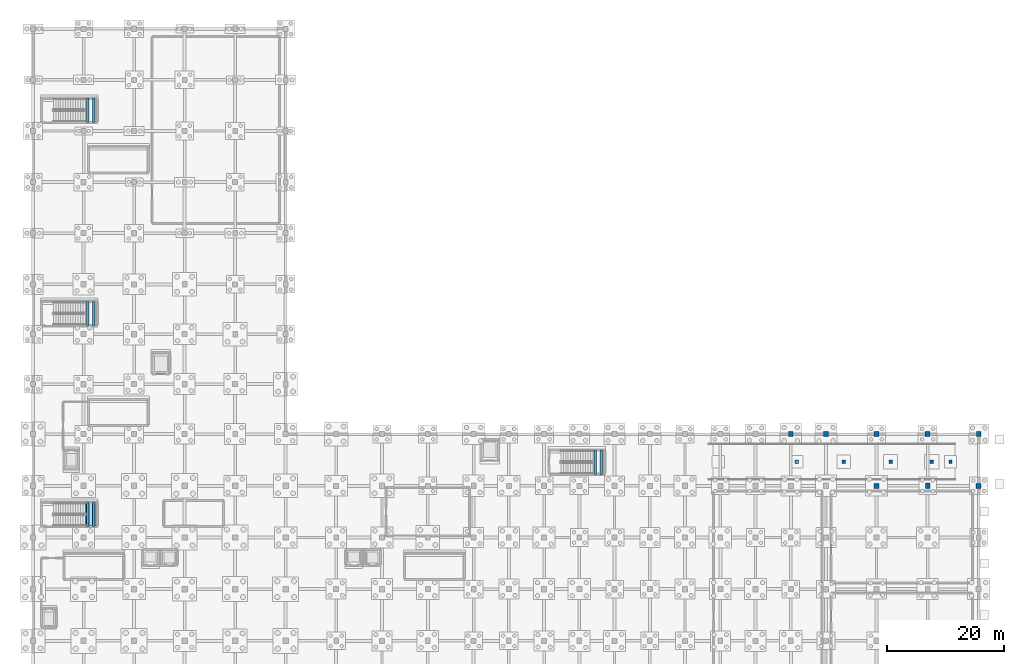
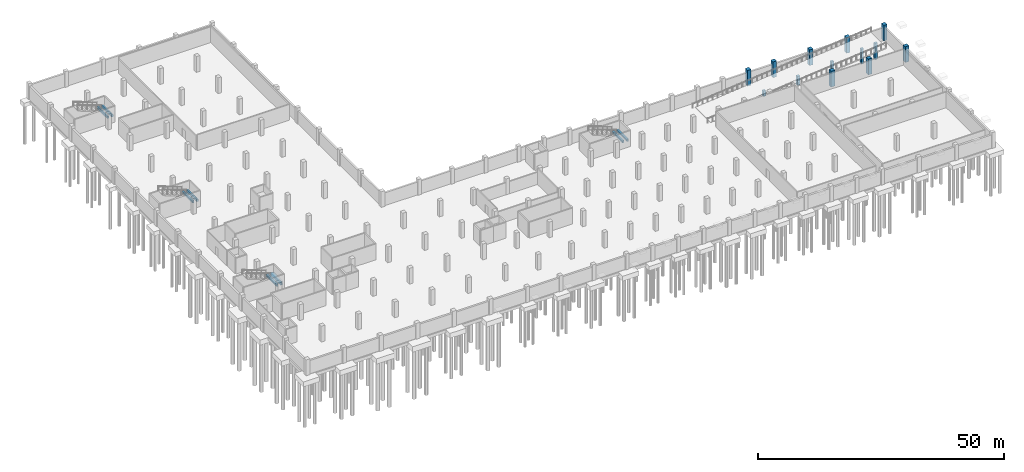
# One storey, part 12 of 28: 13 columns, 8 beams, 1 slab, 1 element without a shape of its own.
"""IFC4 building model written with IfcOpenShell, lengths in metres."""

from ifc_helpers import new_model, si_unit, direction, frame, origin, origin_2d, place, context, subcontext, project, spatial, polyline, rectangle, outline, extrude, material, layer, layer_set, material_profile, profile_set, type_object, element, aggregate, save


model = new_model("IFC4")

# Units and contexts
model_context = context("Model", 3, precision=1e-05, world=origin(), true_north=direction((0.0, 1.0)))
body_context = subcontext(model_context, "Body", "Model", "MODEL_VIEW")
ifc_project = project(units=[si_unit("LENGTHUNIT", "METRE"), si_unit("AREAUNIT", "SQUARE_METRE"), si_unit("VOLUMEUNIT", "CUBIC_METRE"), si_unit("PLANEANGLEUNIT", "RADIAN"), si_unit("MASSUNIT", "GRAM", prefix="KILO")], contexts=[model_context])

# Site, building, storey
site_placement = place(None, origin())
site = spatial("IfcSite", under=ifc_project, at=site_placement, CompositionType="ELEMENT")
building_placement = place(site_placement, origin())
building = spatial("IfcBuilding", under=site, at=building_placement, Name="Varnakota Cinema and Media Centre", CompositionType="ELEMENT")
storey_placement = place(building_placement, frame((0.0, 0.0, -4.199951171875)))
storey = spatial("IfcBuildingStorey", under=building, at=storey_placement, Name="B1", CompositionType="ELEMENT", Elevation=-4.199951171875)

# Columns
ifc_material_1 = material(Name="Concrete M40", Category="concrete")
ifc_material_profile_1 = material_profile(ifc_material_1, rectangle(XDim=0.550048828125, YDim=0.550048828125, at=origin_2d()), Name="RC 550x550")
ifc_profile_set_1 = profile_set([ifc_material_profile_1], Name="Concrete M40")
column_type_1 = type_object("IfcColumnType", Name="COL-RC-550x550", PredefinedType="COLUMN", material=ifc_profile_set_1)
column_1_placement = place(storey_placement, frame((156.199951171875, 39.300048828125, -0.25), z_axis=(0.0, 0.0, 1.0), x_axis=(1.0, 0.0, 0.0)))
element("IfcColumn", 1, at=column_1_placement, inside=storey, type_object=column_type_1, Name="B1 car ramp top support pier", PredefinedType="COLUMN", context=body_context, shape_type="SweptSolid", body=[
    extrude(rectangle(XDim=0.550048828125, YDim=0.550048828125, at=origin_2d()), origin(), (0.0, 0.0, 1.0), 4.030029296875),
])
column_2_placement = place(storey_placement, frame((130.0, 39.300048828125, -0.25), z_axis=(0.0, 0.0, 1.0), x_axis=(1.0, 0.0, 0.0)))
element("IfcColumn", 2, at=column_2_placement, inside=storey, type_object=column_type_1, Name="B1 car ramp support pier X=130", PredefinedType="COLUMN", context=body_context, shape_type="SweptSolid", body=[
    extrude(rectangle(XDim=0.550048828125, YDim=0.550048828125, at=origin_2d()), origin(), (0.0, 0.0, 1.0), 1.404296875),
])
column_3_placement = place(storey_placement, frame((138.0, 39.300048828125, -0.25), z_axis=(0.0, 0.0, 1.0), x_axis=(1.0, 0.0, 0.0)))
element("IfcColumn", 3, at=column_3_placement, inside=storey, type_object=column_type_1, Name="B1 car ramp support pier X=138", PredefinedType="COLUMN", context=body_context, shape_type="SweptSolid", body=[
    extrude(rectangle(XDim=0.550048828125, YDim=0.550048828125, at=origin_2d()), origin(), (0.0, 0.0, 1.0), 2.218994140625),
])
column_4_placement = place(storey_placement, frame((146.0, 39.300048828125, -0.25), z_axis=(0.0, 0.0, 1.0), x_axis=(1.0, 0.0, 0.0)))
element("IfcColumn", 4, at=column_4_placement, inside=storey, type_object=column_type_1, Name="B1 car ramp support pier X=146", PredefinedType="COLUMN", context=body_context, shape_type="SweptSolid", body=[
    extrude(rectangle(XDim=0.550048828125, YDim=0.550048828125, at=origin_2d()), origin(), (0.0, 0.0, 1.0), 3.03369140625),
])
column_5_placement = place(storey_placement, frame((153.0, 39.300048828125, -0.25), z_axis=(0.0, 0.0, 1.0), x_axis=(1.0, 0.0, 0.0)))
element("IfcColumn", 5, at=column_5_placement, inside=storey, type_object=column_type_1, Name="B1 car ramp support pier X=153", PredefinedType="COLUMN", context=body_context, shape_type="SweptSolid", body=[
    extrude(rectangle(XDim=0.550048828125, YDim=0.550048828125, at=origin_2d()), origin(), (0.0, 0.0, 1.0), 3.74658203125),
])
ifc_material_2 = material(Name="Concrete M40", Category="concrete")
ifc_material_profile_2 = material_profile(ifc_material_2, rectangle(XDim=0.800048828125, YDim=0.89990234375, at=origin_2d()), Name="RC 800x900")
ifc_profile_set_2 = profile_set([ifc_material_profile_2], Name="Concrete M40")
column_type_2 = type_object("IfcColumnType", Name="COL-RC-800x900", PredefinedType="COLUMN", material=ifc_profile_set_2)
for number, where, z_axis, x_axis, name in (
    (6, (129.0, 44.0, 0.0), (0.0, 0.0, 1.0), (1.0, 0.0, 0.0), "B1 column U/6"),
    (7, (143.60009765625, 44.0, 0.0), (0.0, 0.0, 1.0), (1.0, 0.0, 0.0), "B1 column W/6"),
    (8, (152.300048828125, 35.199951171875, 0.0), (0.0, 0.0, 1.0), (1.0, 0.0, 0.0), "B1 column X/5"),
    (9, (161.0, 44.0, 0.0), (0.0, 0.0, 1.0), (1.0, 0.0, 0.0), "B1 column Y/6"),
):
    element("IfcColumn", number, at=place(storey_placement, frame(where, z_axis=z_axis, x_axis=x_axis)), inside=storey, type_object=column_type_2, Name=name, PredefinedType="COLUMN", context=body_context, shape_type="SweptSolid", body=[
        extrude(rectangle(XDim=0.800048828125, YDim=0.89990234375, at=origin_2d()), origin(), (0.0, 0.0, 1.0), 3.919921875),
    ])
ifc_material_3 = material(Name="Concrete M50", Category="concrete")
ifc_material_profile_3 = material_profile(ifc_material_3, rectangle(XDim=0.85009765625, YDim=0.85009765625, at=origin_2d()), Name="RC 850x850")
ifc_profile_set_3 = profile_set([ifc_material_profile_3], Name="Concrete M50")
column_type_3 = type_object("IfcColumnType", Name="COL-RC-850x850", PredefinedType="COLUMN", material=ifc_profile_set_3)
for number, where, z_axis, x_axis, name in (
    (10, (135.0, 44.0, 0.0), (0.0, 0.0, 1.0), (1.0, 0.0, 0.0), "B1 column V/6"),
    (11, (143.60009765625, 35.199951171875, 0.0), (0.0, 0.0, 1.0), (1.0, 0.0, 0.0), "B1 column W/5"),
    (12, (152.300048828125, 44.0, 0.0), (0.0, 0.0, 1.0), (1.0, 0.0, 0.0), "B1 column X/6"),
    (13, (161.0, 35.199951171875, 0.0), (0.0, 0.0, 1.0), (1.0, 0.0, 0.0), "B1 column Y/5"),
):
    element("IfcColumn", number, at=place(storey_placement, frame(where, z_axis=z_axis, x_axis=x_axis)), inside=storey, type_object=column_type_3, Name=name, PredefinedType="COLUMN", context=body_context, shape_type="SweptSolid", body=[
        extrude(rectangle(XDim=0.85009765625, YDim=0.85009765625, at=origin_2d()), origin(), (0.0, 0.0, 1.0), 3.919921875),
    ])

# Beams
ifc_material_4 = material(Name="Concrete M35", Category="concrete")
ifc_material_profile_4 = material_profile(ifc_material_4, rectangle(XDim=0.39990234375, YDim=0.550048828125, at=origin_2d()), Name="RCB 400x550")
ifc_profile_set_4 = profile_set([ifc_material_profile_4], Name="Concrete M35")
beam_type = type_object("IfcBeamType", Name="BM-RC-400x550", PredefinedType="BEAM", material=ifc_profile_set_4)
for number, where, z_axis, x_axis, name in (
    (14, (9.31689453125, 28.25, 1.625), (0.0, 1.0, 0.0), (-1.0, 0.0, 0.0), "B1 ST-B1 landing support beam 1"),
    (15, (10.35302734375, 28.25, 1.625), (0.0, 1.0, 0.0), (-1.0, 0.0, 0.0), "B1 ST-B1 landing support beam 2"),
):
    element("IfcBeam", number, at=place(storey_placement, frame(where, z_axis=z_axis, x_axis=x_axis)), inside=storey, type_object=beam_type, Name=name, PredefinedType="BEAM", context=body_context, shape_type="SweptSolid", body=[
        extrude(rectangle(XDim=0.39990234375, YDim=0.550048828125, at=origin_2d()), origin(), (0.0, 0.0, 1.0), 4.14990234375),
    ])
for number, where, z_axis, x_axis, name in (
    (16, (95.717041015625, 37.14990234375, 1.625), (0.0, 1.0, 0.0), (-1.0, 0.0, 0.0), "B1 ST-B2 landing support beam 1"),
    (17, (96.7529296875, 37.14990234375, 1.625), (0.0, 1.0, 0.0), (-1.0, 0.0, 0.0), "B1 ST-B2 landing support beam 2"),
    (18, (9.31689453125, 62.449951171875, 1.625), (0.0, 1.0, 0.0), (-1.0, 0.0, 0.0), "B1 ST-B3 landing support beam 1"),
    (19, (10.35302734375, 62.449951171875, 1.625), (0.0, 1.0, 0.0), (-1.0, 0.0, 0.0), "B1 ST-B3 landing support beam 2"),
):
    element("IfcBeam", number, at=place(storey_placement, frame(where, z_axis=z_axis, x_axis=x_axis)), inside=storey, type_object=beam_type, Name=name, PredefinedType="BEAM", context=body_context, shape_type="SweptSolid", body=[
        extrude(rectangle(XDim=0.39990234375, YDim=0.550048828125, at=origin_2d()), origin(), (0.0, 0.0, 1.0), 4.150146484375),
    ])
for number, where, z_axis, x_axis, name in (
    (20, (9.31689453125, 97.050048828125, 1.625), (0.0, 1.0, 0.0), (-1.0, 0.0, 0.0), "B1 ST-B4 landing support beam 1"),
    (21, (10.35302734375, 97.050048828125, 1.625), (0.0, 1.0, 0.0), (-1.0, 0.0, 0.0), "B1 ST-B4 landing support beam 2"),
):
    element("IfcBeam", number, at=place(storey_placement, frame(where, z_axis=z_axis, x_axis=x_axis)), inside=storey, type_object=beam_type, Name=name, PredefinedType="BEAM", context=body_context, shape_type="SweptSolid", body=[
        extrude(rectangle(XDim=0.39990234375, YDim=0.550048828125, at=origin_2d()), origin(), (0.0, 0.0, 1.0), 4.14990234375),
    ])

# Stair, slab
ifc_material_5 = material(Name="Concrete M35", Category="concrete")
stair_type = type_object("IfcStairType", Name="STR-CORE-ST-B1-1850", PredefinedType="HALF_TURN_STAIR", material=ifc_material_5)
stair_placement = place(storey_placement, origin())
stair = element("IfcStair", 22, at=stair_placement, inside=storey, type_object=stair_type, Name="B1 Basement South-West Escape Stair B1", PredefinedType="HALF_TURN_STAIR")
ifc_material_6 = material(Name="Concrete M35", Category="concrete")
ifc_layer = layer(ifc_material_6, 0.199951171875)
ifc_layer_set = layer_set([ifc_layer], Name="Concrete M35")
slab_type = type_object("IfcSlabType", Name="SLB-LAND-ST-B1", PredefinedType="LANDING", material=ifc_layer_set)
slab_placement = place(storey_placement, frame((0.0, 0.0, 1.89990234375)))
slab = element("IfcSlab", 23, at=slab_placement, type_object=slab_type, Name="ST-B1 landing 1", PredefinedType="LANDING", context=body_context, shape_type="SweptSolid", body=[
    extrude(outline(polyline([(8.909912109375, 28.39990234375), (10.760009765625, 28.39990234375), (10.760009765625, 32.25), (8.909912109375, 32.25), (8.909912109375, 28.39990234375)])), origin(), (0.0, 0.0, 1.0), 0.199951171875),
])
aggregate(stair, [slab])

save(model, "model.ifc")
